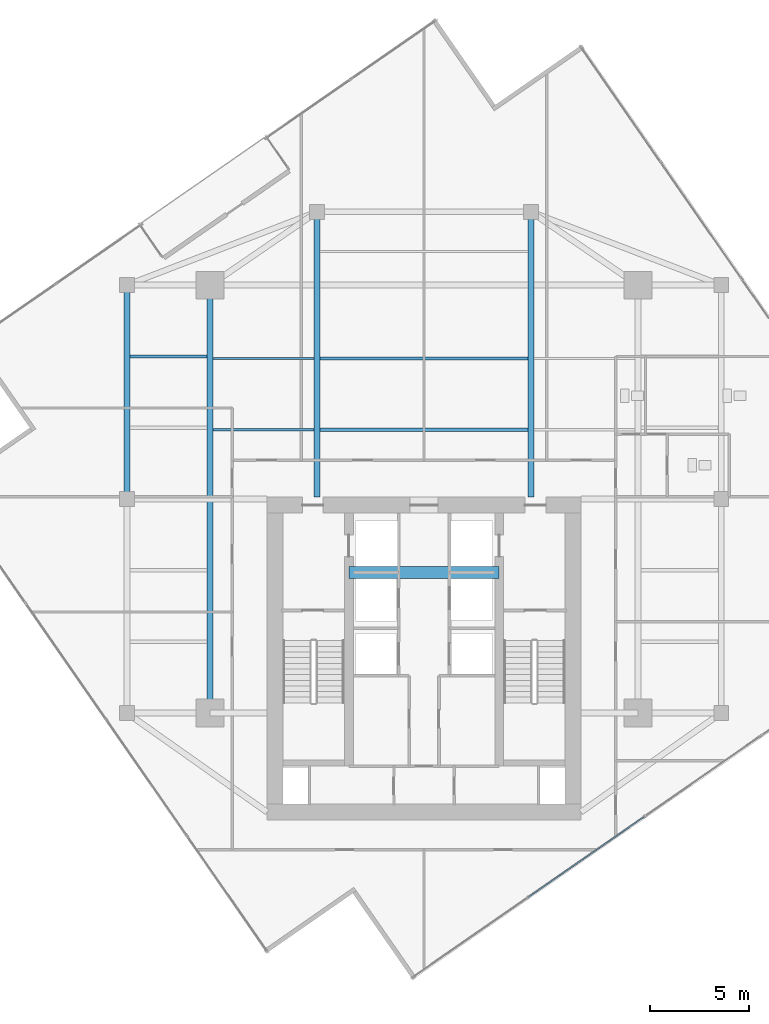
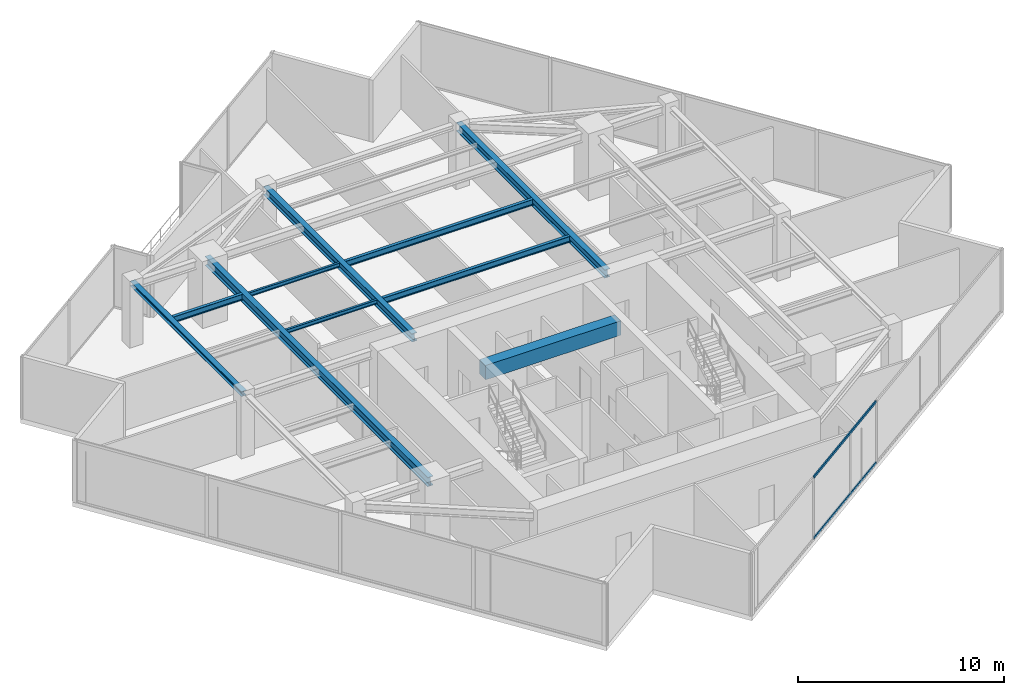
# One storey, part 7 of 21: 10 beams, 2 members, 1 element without a shape of its own.
"""IFC4 building model written with IfcOpenShell, lengths in metres."""

from ifc_helpers import new_model, si_unit, direction, frame, origin, origin_2d, place, context, subcontext, project, spatial, rectangle, hollow_rectangle, i_section, extrude, source, transform, mapped, material, material_profile, profile_set, type_object, type_shapes, element, aggregate, save


model = new_model("IFC4")

# Units and contexts
model_context = context("Model", 3, precision=1e-05, world=origin(), true_north=direction((0.0, 1.0)))
body_context = subcontext(model_context, "Body", "Model", "MODEL_VIEW")
ifc_project = project(units=[si_unit("LENGTHUNIT", "METRE"), si_unit("AREAUNIT", "SQUARE_METRE"), si_unit("VOLUMEUNIT", "CUBIC_METRE"), si_unit("PLANEANGLEUNIT", "RADIAN"), si_unit("MASSUNIT", "GRAM", prefix="KILO")], contexts=[model_context])

# Site, building, storey
site_placement = place(None, origin())
site = spatial("IfcSite", under=ifc_project, at=site_placement, CompositionType="ELEMENT")
building_placement = place(site_placement, origin())
building = spatial("IfcBuilding", under=site, at=building_placement, Name="Krantzveldt Concourse Tower", CompositionType="ELEMENT")
storey_placement = place(building_placement, frame((0.0, 0.0, 271.35009765625)))
storey = spatial("IfcBuildingStorey", under=building, at=storey_placement, Name="L66", CompositionType="ELEMENT", Elevation=271.35009765625)

# Beams
ifc_material_1 = material(Name="Steel S355JR", Category="steel")
ifc_material_profile_1 = material_profile(ifc_material_1, i_section(OverallWidth=0.169921875, OverallDepth=0.360107421875, WebThickness=0.008056640625, FlangeThickness=0.0126953125, FilletRadius=0.01806640625, at=origin_2d()), Name="Steel S355JR", Category="steel")
ifc_profile_set_1 = profile_set([ifc_material_profile_1], Name="Steel S355JR - IPE 360")
beam_type_1 = type_object("IfcBeamType", Name="BM-J-IPE360", PredefinedType="JOIST", material=ifc_profile_set_1)
shared_shape_1 = source(origin(), body_context, "Body", "SweptSolid", [
    extrude(i_section(OverallWidth=0.169921875, OverallDepth=0.360107421875, WebThickness=0.008056640625, FlangeThickness=0.0126953125, FilletRadius=0.01806640625, at=origin_2d()), origin(), (0.0, 0.0, 1.0), 10.5),
])
for number, where, z_axis, x_axis, name in (
    (1, (30.75, 30.199951171875, 3.489990234375), (1.0, 0.0, 0.0), (0.0, 1.0, 0.0), "L66 Secondary Floor Joist JN-C1"),
    (2, (30.75, 33.800048828125, 3.489990234375), (1.0, 0.0, 0.0), (0.0, 1.0, 0.0), "L66 Secondary Floor Joist JN-C2"),
):
    element("IfcBeam", number, at=place(storey_placement, frame(where, z_axis=z_axis, x_axis=x_axis)), inside=storey, type_object=beam_type_1, Name=name, PredefinedType="JOIST", context=body_context, shape_type="MappedRepresentation", body=[
        mapped(shared_shape_1, transform((0.0, 0.0, 0.0), x_axis=(1.0, 0.0, 0.0), y_axis=(0.0, 1.0, 0.0), z_axis=(0.0, 0.0, 1.0), scale=1.0)),
    ])
ifc_material_profile_2 = material_profile(ifc_material_1, i_section(OverallWidth=0.300048828125, OverallDepth=0.489990234375, WebThickness=0.011962890625, FlangeThickness=0.02294921875, FilletRadius=0.027099609375, at=origin_2d()), Name="Steel S355JR", Category="steel")
ifc_profile_set_2 = profile_set([ifc_material_profile_2], Name="Steel S355JR - HEA 500")
beam_type_2 = type_object("IfcBeamType", Name="BM-B-HEA500", PredefinedType="BEAM", material=ifc_profile_set_2)
shared_shape_2 = source(origin(), body_context, "Body", "SweptSolid", [
    extrude(i_section(OverallWidth=0.300048828125, OverallDepth=0.489990234375, WebThickness=0.011962890625, FlangeThickness=0.02294921875, FilletRadius=0.027099609375, at=origin_2d()), origin(), (0.0, 0.0, 1.0), 14.39990234375),
])
type_shapes(beam_type_2, [shared_shape_2])
for number, where, z_axis, x_axis, name in (
    (3, (30.60009765625, 26.800048828125, 3.4248046875), (0.0, 1.0, 0.0), (-1.0, 0.0, 0.0), "L66 Tower Girder BG-CNW"),
    (4, (41.39990234375, 26.800048828125, 3.4248046875), (0.0, 1.0, 0.0), (-1.0, 0.0, 0.0), "L66 Tower Girder BG-CNE"),
):
    element("IfcBeam", number, at=place(storey_placement, frame(where, z_axis=z_axis, x_axis=x_axis)), inside=storey, type_object=beam_type_2, Name=name, PredefinedType="BEAM", context=body_context, shape_type="MappedRepresentation", body=[
        mapped(shared_shape_2, transform((0.0, 0.0, 0.0), x_axis=(1.0, 0.0, 0.0), y_axis=(0.0, 1.0, 0.0), z_axis=(0.0, 0.0, 1.0), scale=1.0)),
    ])
ifc_material_2 = material(Name="Concrete C50/60", Category="concrete")
ifc_material_profile_3 = material_profile(ifc_material_2, rectangle(XDim=0.60009765625, YDim=0.85009765625, at=origin_2d()), Name="Concrete C50/60", Category="concrete")
ifc_profile_set_3 = profile_set([ifc_material_profile_3], Name="Concrete C50/60 - RC-CB 600x850")
beam_type_3 = type_object("IfcBeamType", Name="BM-CB-850", PredefinedType="LINTEL", material=ifc_profile_set_3)
shared_shape_3 = source(origin(), body_context, "Body", "SweptSolid", [
    extrude(rectangle(XDim=0.60009765625, YDim=0.85009765625, at=origin_2d()), origin(), (0.0, 0.0, 1.0), 7.580078125),
])
type_shapes(beam_type_3, [shared_shape_3])
beam_1_placement = place(storey_placement, frame((32.2099609375, 23.0, 3.244873046875), z_axis=(1.0, 0.0, 0.0), x_axis=(0.0, 1.0, 0.0)))
element("IfcBeam", 5, at=beam_1_placement, inside=storey, type_object=beam_type_3, Name="CB-L66-01", PredefinedType="LINTEL", context=body_context, shape_type="MappedRepresentation", body=[
    mapped(shared_shape_3, transform((0.0, 0.0, 0.0), x_axis=(1.0, 0.0, 0.0), y_axis=(0.0, 1.0, 0.0), z_axis=(0.0, 0.0, 1.0), scale=1.0)),
])
ifc_material_profile_4 = material_profile(ifc_material_1, i_section(OverallWidth=0.300048828125, OverallDepth=0.5400390625, WebThickness=0.012451171875, FlangeThickness=0.02392578125, FilletRadius=0.027099609375, at=origin_2d()), Name="Steel S355JR", Category="steel")
ifc_profile_set_4 = profile_set([ifc_material_profile_4], Name="Steel S355JR - HEA 550")
beam_type_4 = type_object("IfcBeamType", Name="BM-B-HEA550", PredefinedType="BEAM", material=ifc_profile_set_4)
shared_shape_4 = source(origin(), body_context, "Body", "SweptSolid", [
    extrude(i_section(OverallWidth=0.300048828125, OverallDepth=0.5400390625, WebThickness=0.012451171875, FlangeThickness=0.02392578125, FilletRadius=0.027099609375, at=origin_2d()), origin(), (0.0, 0.0, 1.0), 21.60009765625),
])
type_shapes(beam_type_4, [shared_shape_4])
beam_2_placement = place(storey_placement, frame((25.199951171875, 15.89990234375, 3.39990234375), z_axis=(0.0, 1.0, 0.0), x_axis=(-1.0, 0.0, 0.0)))
element("IfcBeam", 6, at=beam_2_placement, inside=storey, type_object=beam_type_4, Name="L66 Tower Girder BG-MW", PredefinedType="BEAM", context=body_context, shape_type="MappedRepresentation", body=[
    mapped(shared_shape_4, transform((0.0, 0.0, 0.0), x_axis=(1.0, 0.0, 0.0), y_axis=(0.0, 1.0, 0.0), z_axis=(0.0, 0.0, 1.0), scale=1.0)),
])
ifc_material_profile_5 = material_profile(ifc_material_1, i_section(OverallWidth=0.2900390625, OverallDepth=0.2900390625, WebThickness=0.008544921875, FlangeThickness=0.013916015625, FilletRadius=0.027099609375, at=origin_2d()), Name="Steel S355JR", Category="steel")
ifc_profile_set_5 = profile_set([ifc_material_profile_5], Name="Steel S355JR - HEA 300")
beam_type_5 = type_object("IfcBeamType", Name="BM-SP-HEA300", PredefinedType="SPANDREL", material=ifc_profile_set_5)
shared_shape_5 = source(origin(), body_context, "Body", "SweptSolid", [
    extrude(i_section(OverallWidth=0.2900390625, OverallDepth=0.2900390625, WebThickness=0.008544921875, FlangeThickness=0.013916015625, FilletRadius=0.027099609375, at=origin_2d()), origin(), (0.0, 0.0, 1.0), 10.800048828125),
])
type_shapes(beam_type_5, [shared_shape_5])
beam_3_placement = place(storey_placement, frame((21.0, 26.699951171875, 3.52490234375), z_axis=(0.0, 1.0, 0.0), x_axis=(-1.0, 0.0, 0.0)))
element("IfcBeam", 7, at=beam_3_placement, inside=storey, type_object=beam_type_5, Name="L66 Tower Girder SP-R02", PredefinedType="SPANDREL", context=body_context, shape_type="MappedRepresentation", body=[
    mapped(shared_shape_5, transform((0.0, 0.0, 0.0), x_axis=(1.0, 0.0, 0.0), y_axis=(0.0, 1.0, 0.0), z_axis=(0.0, 0.0, 1.0), scale=1.0)),
])
ifc_material_profile_6 = material_profile(ifc_material_1, i_section(OverallWidth=0.1201171875, OverallDepth=0.239990234375, WebThickness=0.006103515625, FlangeThickness=0.009765625, FilletRadius=0.014892578125, at=origin_2d()), Name="Steel S355JR", Category="steel")
ifc_profile_set_6 = profile_set([ifc_material_profile_6], Name="Steel S355JR - IPE 240")
beam_type_6 = type_object("IfcBeamType", Name="BM-LN-IPE240", PredefinedType="LINTEL", material=ifc_profile_set_6)
shared_shape_6 = source(origin(), body_context, "Body", "SweptSolid", [
    extrude(i_section(OverallWidth=0.1201171875, OverallDepth=0.239990234375, WebThickness=0.006103515625, FlangeThickness=0.009765625, FilletRadius=0.014892578125, at=origin_2d()), origin(), (0.0, 0.0, 1.0), 5.099853515625),
])
type_shapes(beam_type_6, [shared_shape_6])
for number, where, z_axis, x_axis, name in (
    (8, (25.35009765625, 30.199951171875, 3.5498046875), (1.0, 0.0, 0.0), (0.0, 1.0, 0.0), "L66 Secondary Floor Joist JN-W1"),
    (9, (25.35009765625, 33.800048828125, 3.5498046875), (1.0, 0.0, 0.0), (0.0, 1.0, 0.0), "L66 Secondary Floor Joist JN-W2"),
):
    element("IfcBeam", number, at=place(storey_placement, frame(where, z_axis=z_axis, x_axis=x_axis)), inside=storey, type_object=beam_type_6, Name=name, PredefinedType="LINTEL", context=body_context, shape_type="MappedRepresentation", body=[
        mapped(shared_shape_6, transform((0.0, 0.0, 0.0), x_axis=(1.0, 0.0, 0.0), y_axis=(0.0, 1.0, 0.0), z_axis=(0.0, 0.0, 1.0), scale=1.0)),
    ])
shared_shape_7 = source(origin(), body_context, "Body", "SweptSolid", [
    extrude(i_section(OverallWidth=0.169921875, OverallDepth=0.360107421875, WebThickness=0.008056640625, FlangeThickness=0.0126953125, FilletRadius=0.01806640625, at=origin_2d()), origin(), (0.0, 0.0, 1.0), 3.900146484375),
])
type_shapes(beam_type_1, [shared_shape_1, shared_shape_7])
beam_4_placement = place(storey_placement, frame((21.14990234375, 33.89990234375, 3.489990234375), z_axis=(1.0, 0.0, 0.0), x_axis=(0.0, 1.0, 0.0)))
element("IfcBeam", 10, at=beam_4_placement, inside=storey, type_object=beam_type_1, Name="L66 Secondary Floor Joist JW-4", PredefinedType="JOIST", context=body_context, shape_type="MappedRepresentation", body=[
    mapped(shared_shape_7, transform((0.0, 0.0, 0.0), x_axis=(1.0, 0.0, 0.0), y_axis=(0.0, 1.0, 0.0), z_axis=(0.0, 0.0, 1.0), scale=1.0)),
])

# Curtain wall, members
ifc_material_3 = material(Name="Anodised aluminium 6063-T6", Category="aluminium")
curtain_wall_type = type_object("IfcCurtainWallType", Name="CW4", PredefinedType="USERDEFINED", material=ifc_material_3)
curtain_wall_placement = place(storey_placement, origin())
curtain_wall = element("IfcCurtainWall", 11, at=curtain_wall_placement, inside=storey, type_object=curtain_wall_type, Name="CW-L66-F11", ObjectType="UNITISED CURTAIN WALL", PredefinedType="USERDEFINED")
ifc_material_profile_7 = material_profile(ifc_material_3, hollow_rectangle(XDim=0.070068359375, YDim=0.139892578125, WallThickness=0.0048828125, at=origin_2d()), Name="Anodised aluminium 6063-T6", Category="aluminium")
ifc_profile_set_7 = profile_set([ifc_material_profile_7], Name="Anodised aluminium 6063-T6 - ALU-TRAN 140x70x5")
member_type = type_object("IfcMemberType", Name="CW-TRN-150", PredefinedType="USERDEFINED", material=ifc_profile_set_7)
shared_shape_8 = source(origin(), body_context, "Body", "SweptSolid", [
    extrude(hollow_rectangle(XDim=0.070068359375, YDim=0.139892578125, WallThickness=0.0048828125, at=origin_2d()), origin(), (0.0, 0.0, 1.0), 7.079833984375),
])
type_shapes(member_type, [shared_shape_8])
member_1_placement = place(storey_placement, frame((41.274658203125, 6.6142578125, 0.034912109375), z_axis=(0.821653043491, 0.569987961383, 0.0), x_axis=(-0.569987961383, 0.821653043491, 0.0)))
member_1 = element("IfcMember", 12, at=member_1_placement, type_object=member_type, Name="CW-Z56 transom 2.1", ObjectType="TRANSOM", PredefinedType="USERDEFINED", context=body_context, shape_type="MappedRepresentation", body=[
    mapped(shared_shape_8, transform((0.0, 0.0, 0.0), x_axis=(1.0, 0.0, 0.0), y_axis=(0.0, 1.0, 0.0), z_axis=(0.0, 0.0, 1.0), scale=1.0)),
])
member_2_placement = place(storey_placement, frame((41.274658203125, 6.6142578125, 3.635009765625), z_axis=(0.821653043491, 0.569987961383, 0.0), x_axis=(-0.569987961383, 0.821653043491, 0.0)))
member_2 = element("IfcMember", 13, at=member_2_placement, type_object=member_type, Name="CW-Z56 transom 2.2", ObjectType="TRANSOM", PredefinedType="USERDEFINED", context=body_context, shape_type="MappedRepresentation", body=[
    mapped(shared_shape_8, transform((0.0, 0.0, 0.0), x_axis=(1.0, 0.0, 0.0), y_axis=(0.0, 1.0, 0.0), z_axis=(0.0, 0.0, 1.0), scale=1.0)),
])
aggregate(curtain_wall, [member_1, member_2])

save(model, "model.ifc")
